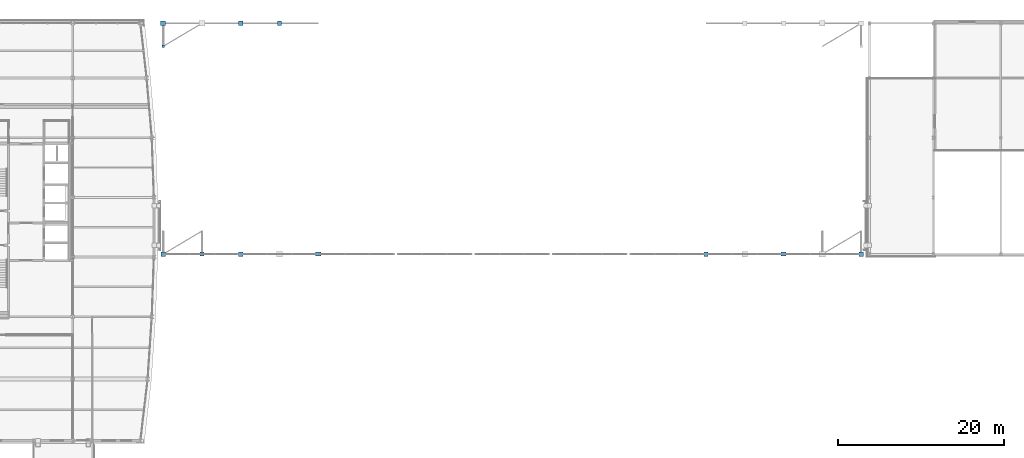
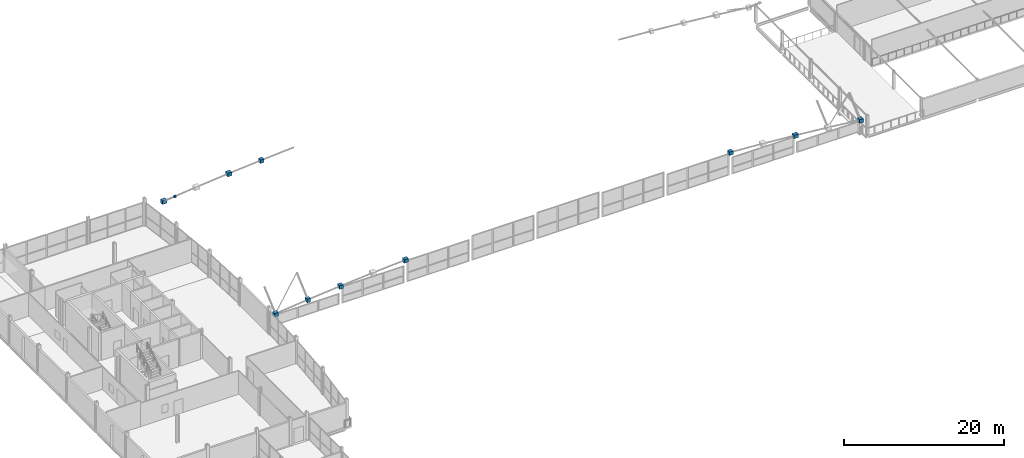
# One storey, part 46 of 60: 11 plates.
"""IFC4 building model written with IfcOpenShell, lengths in metres."""

from ifc_helpers import new_model, si_unit, direction, frame, origin, origin_2d, place, context, subcontext, project, spatial, rectangle, extrude, material, layer, layer_set, type_object, element, save


model = new_model("IFC4")

# Units and contexts
model_context = context("Model", 3, precision=1e-05, world=origin(), true_north=direction((0.0, 1.0)))
body_context = subcontext(model_context, "Body", "Model", "MODEL_VIEW")
ifc_project = project(units=[si_unit("LENGTHUNIT", "METRE"), si_unit("AREAUNIT", "SQUARE_METRE"), si_unit("VOLUMEUNIT", "CUBIC_METRE"), si_unit("PLANEANGLEUNIT", "RADIAN"), si_unit("MASSUNIT", "GRAM", prefix="KILO")], contexts=[model_context])

# Site, building, storey
site_placement = place(None, origin())
site = spatial("IfcSite", under=ifc_project, at=site_placement, CompositionType="ELEMENT")
building_placement = place(site_placement, origin())
building = spatial("IfcBuilding", under=site, at=building_placement, Name="Quillay Park Conservatory", CompositionType="ELEMENT")
storey_placement = place(building_placement, frame((0.0, 0.0, 9.89990234375)))
storey = spatial("IfcBuildingStorey", under=building, at=storey_placement, Name="L02", CompositionType="ELEMENT", Elevation=9.89990234375)

# Plates
ifc_material_1 = material(Name="Steel S355J2H", Category="steel")
ifc_layer_1 = layer(ifc_material_1, 0.031982421875)
ifc_layer_set_1 = layer_set([ifc_layer_1], Name="BOLTED GUSSET NODE PLATE GN01 (Steel S355J2H)")
plate_type_1 = type_object("IfcPlateType", Name="BOLTED GUSSET NODE PLATE GN01", PredefinedType="USERDEFINED", material=ifc_layer_set_1)
for number, where, z_axis, x_axis, name in (
    (1, (30.64990234375, 85.550048828125, 2.196044921875), (0.0, 0.0, 1.0), (1.0, 0.0, 0.0), "Conservatory gridshell star node GN01 (0,0)"),
    (2, (40.005615234375, 113.39990234375, 3.367919921875), (0.0, 0.0, 1.0), (1.0, 0.0, 0.0), "Conservatory gridshell star node GN01 (2,10)"),
    (3, (114.85009765625, 85.550048828125, 2.196044921875), (0.0, 0.0, 1.0), (1.0, 0.0, 0.0), "Conservatory gridshell star node GN01 (18,0)"),
):
    element("IfcPlate", number, at=place(storey_placement, frame(where, z_axis=z_axis, x_axis=x_axis)), inside=storey, type_object=plate_type_1, Name=name, ObjectType="GUSSET PLATE", PredefinedType="USERDEFINED", context=body_context, shape_type="SweptSolid", body=[
        extrude(rectangle(XDim=0.56005859375, YDim=0.56005859375, at=origin_2d()), origin(), (0.0, 0.0, 1.0), 0.5400390625),
    ])
ifc_material_2 = material(Name="Steel S355J2H", Category="steel")
ifc_layer_2 = layer(ifc_material_2, 0.035888671875)
ifc_layer_set_2 = layer_set([ifc_layer_2], Name="BOLTED GUSSET NODE PLATE GN02 (Steel S355J2H)")
plate_type_2 = type_object("IfcPlateType", Name="BOLTED GUSSET NODE PLATE GN02", PredefinedType="USERDEFINED", material=ifc_layer_set_2)
for number, where, z_axis, x_axis, name in (
    (4, (35.327880859375, 85.550048828125, 2.692138671875), (0.0, 0.0, 1.0), (1.0, 0.0, 0.0), "Conservatory gridshell star node GN02 (1,0)"),
    (5, (44.683349609375, 113.39990234375, 3.746826171875), (0.0, 0.0, 1.0), (1.0, 0.0, 0.0), "Conservatory gridshell star node GN02 (3,10)"),
):
    element("IfcPlate", number, at=place(storey_placement, frame(where, z_axis=z_axis, x_axis=x_axis)), inside=storey, type_object=plate_type_2, Name=name, ObjectType="GUSSET PLATE", PredefinedType="USERDEFINED", context=body_context, shape_type="SweptSolid", body=[
        extrude(rectangle(XDim=0.5, YDim=0.5, at=origin_2d()), origin(), (0.0, 0.0, 1.0), 0.5400390625),
    ])
ifc_material_3 = material(Name="Steel S355J2H", Category="steel")
ifc_layer_3 = layer(ifc_material_3, 0.0400390625)
ifc_layer_set_3 = layer_set([ifc_layer_3], Name="BOLTED GUSSET NODE PLATE GN03 (Steel S355J2H)")
plate_type_3 = type_object("IfcPlateType", Name="BOLTED GUSSET NODE PLATE GN03", PredefinedType="USERDEFINED", material=ifc_layer_set_3)
for number, where, z_axis, x_axis, name in (
    (6, (40.005615234375, 85.550048828125, 3.129638671875), (0.0, 0.0, 1.0), (1.0, 0.0, 0.0), "Conservatory gridshell star node GN03 (2,0)"),
    (7, (96.138916015625, 85.550048828125, 3.828857421875), (0.0, 0.0, 1.0), (1.0, 0.0, 0.0), "Conservatory gridshell star node GN03 (14,0)"),
):
    element("IfcPlate", number, at=place(storey_placement, frame(where, z_axis=z_axis, x_axis=x_axis)), inside=storey, type_object=plate_type_3, Name=name, ObjectType="GUSSET PLATE", PredefinedType="USERDEFINED", context=body_context, shape_type="SweptSolid", body=[
        extrude(rectangle(XDim=0.5400390625, YDim=0.5400390625, at=origin_2d()), origin(), (0.0, 0.0, 1.0), 0.5400390625),
    ])
ifc_material_4 = material(Name="Steel S355J2H", Category="steel")
ifc_layer_4 = layer(ifc_material_4, 0.048095703125)
ifc_layer_set_4 = layer_set([ifc_layer_4], Name="BOLTED GUSSET NODE PLATE GN05 (Steel S355J2H)")
plate_type_4 = type_object("IfcPlateType", Name="BOLTED GUSSET NODE PLATE GN05", PredefinedType="USERDEFINED", material=ifc_layer_set_4)
for number, where, z_axis, x_axis, name in (
    (8, (30.64990234375, 113.39990234375, 2.434326171875), (0.0, 0.0, 1.0), (1.0, 0.0, 0.0), "Conservatory gridshell star node GN05 (0,10)"),
    (9, (49.361083984375, 85.550048828125, 3.828857421875), (0.0, 0.0, 1.0), (1.0, 0.0, 0.0), "Conservatory gridshell star node GN05 (4,0)"),
    (10, (105.494384765625, 85.550048828125, 3.129638671875), (0.0, 0.0, 1.0), (1.0, 0.0, 0.0), "Conservatory gridshell star node GN05 (16,0)"),
):
    element("IfcPlate", number, at=place(storey_placement, frame(where, z_axis=z_axis, x_axis=x_axis)), inside=storey, type_object=plate_type_4, Name=name, ObjectType="GUSSET PLATE", PredefinedType="USERDEFINED", context=body_context, shape_type="SweptSolid", body=[
        extrude(rectangle(XDim=0.6201171875, YDim=0.5, at=origin_2d()), origin(), (0.0, 0.0, 1.0), 0.5400390625),
    ])
ifc_material_5 = material(Name="Steel S355J2H", Category="steel")
ifc_layer_5 = layer(ifc_material_5, 0.02392578125)
ifc_layer_set_5 = layer_set([ifc_layer_5], Name="HOLLOW END CAP PLATE 290 (Steel S355J2H)")
plate_type_5 = type_object("IfcPlateType", Name="HOLLOW END CAP PLATE 290", PredefinedType="USERDEFINED", material=ifc_layer_set_5)
plate_placement = place(storey_placement, frame((30.64990234375, 110.606689453125, 4.97998046875), z_axis=(0.0, 0.0, 1.0), x_axis=(1.0, 0.0, 0.0)))
element("IfcPlate", 11, at=plate_placement, inside=storey, type_object=plate_type_5, Name="Hollow steel end cap ECP-0138", ObjectType="FLANGE PLATE", PredefinedType="USERDEFINED", context=body_context, shape_type="SweptSolid", body=[
    extrude(rectangle(XDim=0.294921875, YDim=0.294921875, at=origin_2d()), origin(), (0.0, 0.0, 1.0), 0.268310546875),
])

save(model, "model.ifc")
